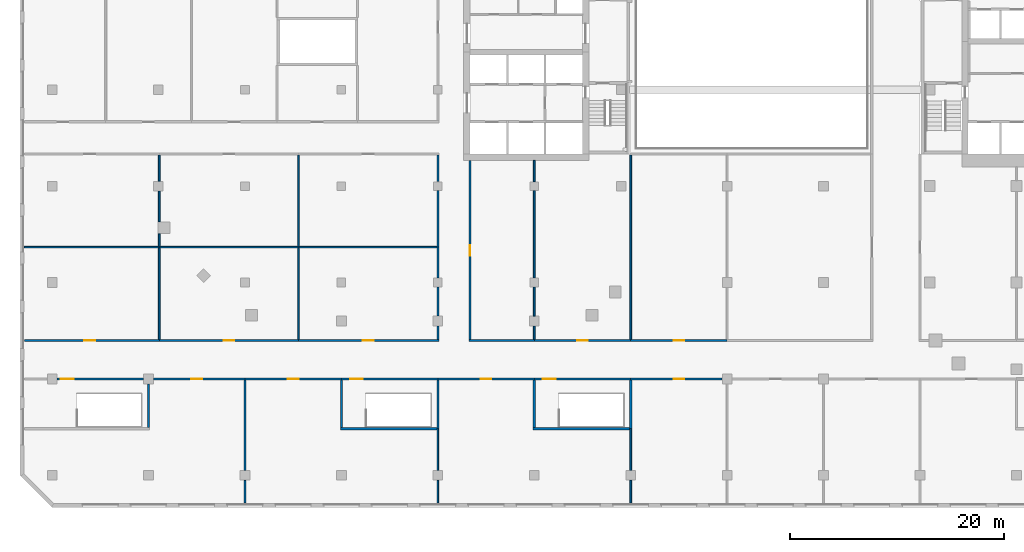
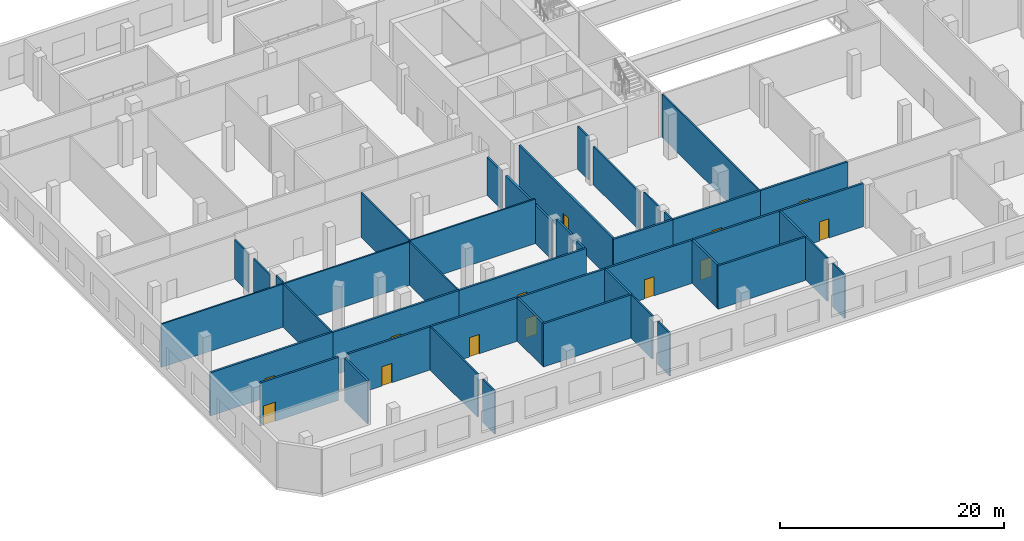
# One storey, part 4 of 20: 46 walls, 13 doors, 13 openings.
"""IFC4 building model written with IfcOpenShell, lengths in metres."""

from ifc_helpers import new_model, si_unit, direction, frame, frame_2d, origin, place, context, subcontext, project, spatial, rectangle, extrude, material, layer, layer_set, type_object, element, fill, save


model = new_model("IFC4")

# Units and contexts
model_context = context("Model", 3, precision=1e-05, world=origin(), true_north=direction((0.0, 1.0)))
body_context = subcontext(model_context, "Body", "Model", "MODEL_VIEW")
ifc_project = project(units=[si_unit("LENGTHUNIT", "METRE"), si_unit("AREAUNIT", "SQUARE_METRE"), si_unit("VOLUMEUNIT", "CUBIC_METRE"), si_unit("PLANEANGLEUNIT", "RADIAN"), si_unit("MASSUNIT", "GRAM", prefix="KILO")], contexts=[model_context])

# Site, building, storey
site_placement = place(None, origin())
site = spatial("IfcSite", under=ifc_project, at=site_placement, CompositionType="ELEMENT")
building_placement = place(site_placement, origin())
building = spatial("IfcBuilding", under=site, at=building_placement, Name="Cinnabar Reach Civic Tower", CompositionType="ELEMENT")
storey_placement = place(building_placement, frame((0.0, 0.0, 21.0)))
storey = spatial("IfcBuildingStorey", under=building, at=storey_placement, Name="L04", CompositionType="ELEMENT", Elevation=21.0)

# Wall, opening, door
ifc_material_1 = material(Name="Concrete blockwork", Category="masonry")
ifc_layer_1 = layer(ifc_material_1, 0.2)
ifc_layer_set_1 = layer_set([ifc_layer_1], Name="Podium masonry corridor wall 200 EI 120")
wall_type_1 = type_object("IfcWallType", Name="Podium masonry corridor wall 200 EI 120", PredefinedType="PARTITIONING", material=ifc_layer_set_1)
wall_1_placement = place(storey_placement, frame((-71.53, 0.0, 0.0), z_axis=(0.0, 0.0, 1.0), x_axis=(1.0, 0.0, 0.0)))
wall_1 = element("IfcWall", 1, at=wall_1_placement, inside=storey, type_object=wall_type_1, Name="Wall L04 41", PredefinedType="PARTITIONING", context=body_context, shape_type="SweptSolid", body=[
    extrude(rectangle(XDim=8.53, YDim=0.2, at=frame_2d((4.265, 0.0))), origin(), (0.0, 0.0, 1.0), 4.7),
])
opening_1_placement = place(wall_1_placement, frame((3.53, 0.0, 0.0)))
opening_1 = element("IfcOpeningElement", 2, at=opening_1_placement, cuts=wall_1, Name="Opening D1230", PredefinedType="OPENING", context=body_context, shape_type="SweptSolid", body=[
    extrude(rectangle(XDim=1.0, YDim=2.1, at=frame_2d((0.5, 1.05))), frame((0.0, 0.11, 0.0), z_axis=(0.0, -1.0, 0.0), x_axis=(1.0, 0.0, 0.0)), (0.0, 0.0, 1.0), 0.22),
])
ifc_material_2 = material(Name="Painted steel door leaf", Category="steel")
door_type_1 = type_object("IfcDoorType", Name="Podium single door 1000x2100", OperationType="SINGLE_SWING_LEFT", PredefinedType="DOOR", material=ifc_material_2)
door_1_placement = place(opening_1_placement, frame((1.0, 0.0, 0.0), z_axis=(0.0, 0.0, 1.0), x_axis=(-1.0, 0.0, 0.0)))
door_1 = element("IfcDoor", 3, at=door_1_placement, inside=storey, type_object=door_type_1, Name="Door D1230", OperationType="SINGLE_SWING_LEFT", OverallHeight=2.1, OverallWidth=1.0, PredefinedType="DOOR", context=body_context, shape_type="SweptSolid", body=[
    extrude(rectangle(XDim=1.0, YDim=2.1, at=frame_2d((0.5, 1.05))), frame((0.0, 0.025, 0.0), z_axis=(0.0, -1.0, 0.0), x_axis=(1.0, 0.0, 0.0)), (0.0, 0.0, 1.0), 0.05),
])
fill(opening_1, door_1)

wall_2_placement = place(storey_placement, frame((-63.0, 0.0, 0.0), z_axis=(0.0, 0.0, 1.0), x_axis=(1.0, 0.0, 0.0)))
wall_2 = element("IfcWall", 4, at=wall_2_placement, inside=storey, type_object=wall_type_1, Name="Wall L04 42", PredefinedType="PARTITIONING", context=body_context, shape_type="SweptSolid", body=[
    extrude(rectangle(XDim=9.0, YDim=0.2, at=frame_2d((4.5, 0.0))), origin(), (0.0, 0.0, 1.0), 4.7),
])
opening_2_placement = place(wall_2_placement, frame((4.0, 0.0, 0.0)))
opening_2 = element("IfcOpeningElement", 5, at=opening_2_placement, cuts=wall_2, Name="Opening D1231", PredefinedType="OPENING", context=body_context, shape_type="SweptSolid", body=[
    extrude(rectangle(XDim=1.0, YDim=2.1, at=frame_2d((0.5, 1.05))), frame((0.0, 0.11, 0.0), z_axis=(0.0, -1.0, 0.0), x_axis=(1.0, 0.0, 0.0)), (0.0, 0.0, 1.0), 0.22),
])
door_2_placement = place(opening_2_placement, frame((1.0, 0.0, 0.0), z_axis=(0.0, 0.0, 1.0), x_axis=(-1.0, 0.0, 0.0)))
door_2 = element("IfcDoor", 6, at=door_2_placement, inside=storey, type_object=door_type_1, Name="Door D1231", OperationType="SINGLE_SWING_RIGHT", OverallHeight=2.1, OverallWidth=1.0, PredefinedType="DOOR", context=body_context, shape_type="SweptSolid", body=[
    extrude(rectangle(XDim=1.0, YDim=2.1, at=frame_2d((0.5, 1.05))), frame((0.0, 0.025, 0.0), z_axis=(0.0, -1.0, 0.0), x_axis=(1.0, 0.0, 0.0)), (0.0, 0.0, 1.0), 0.05),
])
fill(opening_2, door_2)

wall_3_placement = place(storey_placement, frame((-45.0, 0.0, 0.0), z_axis=(0.0, 0.0, 1.0), x_axis=(1.0, 0.0, 0.0)))
wall_3 = element("IfcWall", 7, at=wall_3_placement, inside=storey, type_object=wall_type_1, Name="Wall L04 43", PredefinedType="PARTITIONING", context=body_context, shape_type="SweptSolid", body=[
    extrude(rectangle(XDim=9.0, YDim=0.2, at=frame_2d((4.5, 0.0))), origin(), (0.0, 0.0, 1.0), 4.7),
])
opening_3_placement = place(wall_3_placement, frame((4.0, 0.0, 0.0)))
opening_3 = element("IfcOpeningElement", 8, at=opening_3_placement, cuts=wall_3, Name="Opening D1232", PredefinedType="OPENING", context=body_context, shape_type="SweptSolid", body=[
    extrude(rectangle(XDim=1.0, YDim=2.1, at=frame_2d((0.5, 1.05))), frame((0.0, 0.11, 0.0), z_axis=(0.0, -1.0, 0.0), x_axis=(1.0, 0.0, 0.0)), (0.0, 0.0, 1.0), 0.22),
])
door_3_placement = place(opening_3_placement, frame((1.0, 0.0, 0.0), z_axis=(0.0, 0.0, 1.0), x_axis=(-1.0, 0.0, 0.0)))
door_3 = element("IfcDoor", 9, at=door_3_placement, inside=storey, type_object=door_type_1, Name="Door D1232", OperationType="SINGLE_SWING_LEFT", OverallHeight=2.1, OverallWidth=1.0, PredefinedType="DOOR", context=body_context, shape_type="SweptSolid", body=[
    extrude(rectangle(XDim=1.0, YDim=2.1, at=frame_2d((0.5, 1.05))), frame((0.0, 0.025, 0.0), z_axis=(0.0, -1.0, 0.0), x_axis=(1.0, 0.0, 0.0)), (0.0, 0.0, 1.0), 0.05),
])
fill(opening_3, door_3)

# Wall
wall_4_placement = place(storey_placement, frame((-42.1, 3.6, 0.0), z_axis=(0.0, 0.0, 1.0), x_axis=(1.0, 0.0, 0.0)))
element("IfcWall", 10, at=wall_4_placement, inside=storey, type_object=wall_type_1, Name="Wall L04 44", PredefinedType="PARTITIONING", context=body_context, shape_type="SweptSolid", body=[
    extrude(rectangle(XDim=6.1, YDim=0.2, at=frame_2d((3.05, 0.0))), origin(), (0.0, 0.0, 1.0), 4.7),
])

# Wall, opening, door
wall_5_placement = place(storey_placement, frame((-36.0, 3.6, 0.0), z_axis=(0.0, 0.0, 1.0), x_axis=(1.0, 0.0, 0.0)))
wall_5 = element("IfcWall", 11, at=wall_5_placement, inside=storey, type_object=wall_type_1, Name="Wall L04 45", PredefinedType="PARTITIONING", context=body_context, shape_type="SweptSolid", body=[
    extrude(rectangle(XDim=9.0, YDim=0.2, at=frame_2d((4.5, 0.0))), origin(), (0.0, 0.0, 1.0), 4.7),
])
opening_4_placement = place(wall_5_placement, frame((4.0, 0.0, 0.0)))
opening_4 = element("IfcOpeningElement", 12, at=opening_4_placement, cuts=wall_5, Name="Opening D1236", PredefinedType="OPENING", context=body_context, shape_type="SweptSolid", body=[
    extrude(rectangle(XDim=1.0, YDim=2.1, at=frame_2d((0.5, 1.05))), frame((0.0, 0.11, 0.0), z_axis=(0.0, -1.0, 0.0), x_axis=(1.0, 0.0, 0.0)), (0.0, 0.0, 1.0), 0.22),
])
door_4_placement = place(opening_4_placement, origin())
door_4 = element("IfcDoor", 13, at=door_4_placement, inside=storey, type_object=door_type_1, Name="Door D1236", OperationType="SINGLE_SWING_LEFT", OverallHeight=2.1, OverallWidth=1.0, PredefinedType="DOOR", context=body_context, shape_type="SweptSolid", body=[
    extrude(rectangle(XDim=1.0, YDim=2.1, at=frame_2d((0.5, 1.05))), frame((0.0, 0.025, 0.0), z_axis=(0.0, -1.0, 0.0), x_axis=(1.0, 0.0, 0.0)), (0.0, 0.0, 1.0), 0.05),
])
fill(opening_4, door_4)

wall_6_placement = place(storey_placement, frame((-83.6, 3.6, 0.0), z_axis=(0.0, 0.0, 1.0), x_axis=(1.0, 0.0, 0.0)))
wall_6 = element("IfcWall", 14, at=wall_6_placement, inside=storey, type_object=wall_type_1, Name="Wall L04 46", PredefinedType="PARTITIONING", context=body_context, shape_type="SweptSolid", body=[
    extrude(rectangle(XDim=12.6, YDim=0.2, at=frame_2d((6.3, 0.0))), origin(), (0.0, 0.0, 1.0), 4.7),
])
opening_5_placement = place(wall_6_placement, frame((5.6, 0.0, 0.0)))
opening_5 = element("IfcOpeningElement", 15, at=opening_5_placement, cuts=wall_6, Name="Opening D1256", PredefinedType="OPENING", context=body_context, shape_type="SweptSolid", body=[
    extrude(rectangle(XDim=1.0, YDim=2.1, at=frame_2d((0.5, 1.05))), frame((0.0, 0.11, 0.0), z_axis=(0.0, -1.0, 0.0), x_axis=(1.0, 0.0, 0.0)), (0.0, 0.0, 1.0), 0.22),
])
door_5_placement = place(opening_5_placement, origin())
door_5 = element("IfcDoor", 16, at=door_5_placement, inside=storey, type_object=door_type_1, Name="Door D1256", OperationType="SINGLE_SWING_LEFT", OverallHeight=2.1, OverallWidth=1.0, PredefinedType="DOOR", context=body_context, shape_type="SweptSolid", body=[
    extrude(rectangle(XDim=1.0, YDim=2.1, at=frame_2d((0.5, 1.05))), frame((0.0, 0.025, 0.0), z_axis=(0.0, -1.0, 0.0), x_axis=(1.0, 0.0, 0.0)), (0.0, 0.0, 1.0), 0.05),
])
fill(opening_5, door_5)

wall_7_placement = place(storey_placement, frame((-71.0, 3.6, 0.0), z_axis=(0.0, 0.0, 1.0), x_axis=(1.0, 0.0, 0.0)))
wall_7 = element("IfcWall", 17, at=wall_7_placement, inside=storey, type_object=wall_type_1, Name="Wall L04 47", PredefinedType="PARTITIONING", context=body_context, shape_type="SweptSolid", body=[
    extrude(rectangle(XDim=13.0, YDim=0.2, at=frame_2d((6.5, 0.0))), origin(), (0.0, 0.0, 1.0), 4.7),
])
opening_6_placement = place(wall_7_placement, frame((6.0, 0.0, 0.0)))
opening_6 = element("IfcOpeningElement", 18, at=opening_6_placement, cuts=wall_7, Name="Opening D1257", PredefinedType="OPENING", context=body_context, shape_type="SweptSolid", body=[
    extrude(rectangle(XDim=1.0, YDim=2.1, at=frame_2d((0.5, 1.05))), frame((0.0, 0.11, 0.0), z_axis=(0.0, -1.0, 0.0), x_axis=(1.0, 0.0, 0.0)), (0.0, 0.0, 1.0), 0.22),
])
door_6_placement = place(opening_6_placement, origin())
door_6 = element("IfcDoor", 19, at=door_6_placement, inside=storey, type_object=door_type_1, Name="Door D1257", OperationType="SINGLE_SWING_RIGHT", OverallHeight=2.1, OverallWidth=1.0, PredefinedType="DOOR", context=body_context, shape_type="SweptSolid", body=[
    extrude(rectangle(XDim=1.0, YDim=2.1, at=frame_2d((0.5, 1.05))), frame((0.0, 0.025, 0.0), z_axis=(0.0, -1.0, 0.0), x_axis=(1.0, 0.0, 0.0)), (0.0, 0.0, 1.0), 0.05),
])
fill(opening_6, door_6)

wall_8_placement = place(storey_placement, frame((-58.0, 3.6, 0.0), z_axis=(0.0, 0.0, 1.0), x_axis=(1.0, 0.0, 0.0)))
wall_8 = element("IfcWall", 20, at=wall_8_placement, inside=storey, type_object=wall_type_1, Name="Wall L04 48", PredefinedType="PARTITIONING", context=body_context, shape_type="SweptSolid", body=[
    extrude(rectangle(XDim=13.1, YDim=0.2, at=frame_2d((6.55, 0.0))), origin(), (0.0, 0.0, 1.0), 4.7),
])
opening_7_placement = place(wall_8_placement, frame((6.0, 0.0, 0.0)))
opening_7 = element("IfcOpeningElement", 21, at=opening_7_placement, cuts=wall_8, Name="Opening D1258", PredefinedType="OPENING", context=body_context, shape_type="SweptSolid", body=[
    extrude(rectangle(XDim=1.0, YDim=2.1, at=frame_2d((0.5, 1.05))), frame((0.0, 0.11, 0.0), z_axis=(0.0, -1.0, 0.0), x_axis=(1.0, 0.0, 0.0)), (0.0, 0.0, 1.0), 0.22),
])
door_7_placement = place(opening_7_placement, origin())
door_7 = element("IfcDoor", 22, at=door_7_placement, inside=storey, type_object=door_type_1, Name="Door D1258", OperationType="SINGLE_SWING_RIGHT", OverallHeight=2.1, OverallWidth=1.0, PredefinedType="DOOR", context=body_context, shape_type="SweptSolid", body=[
    extrude(rectangle(XDim=1.0, YDim=2.1, at=frame_2d((0.5, 1.05))), frame((0.0, 0.025, 0.0), z_axis=(0.0, -1.0, 0.0), x_axis=(1.0, 0.0, 0.0)), (0.0, 0.0, 1.0), 0.05),
])
fill(opening_7, door_7)

wall_9_placement = place(storey_placement, frame((-42.0, 3.7, 0.0), z_axis=(0.0, 0.0, 1.0), x_axis=(0.0, 1.0, 0.0)))
wall_9 = element("IfcWall", 23, at=wall_9_placement, inside=storey, type_object=wall_type_1, Name="Wall L04 63", PredefinedType="PARTITIONING", context=body_context, shape_type="SweptSolid", body=[
    extrude(rectangle(XDim=16.7, YDim=0.2, at=frame_2d((8.35, 0.0))), origin(), (0.0, 0.0, 1.0), 4.7),
])
opening_8_placement = place(wall_9_placement, frame((7.8, 0.0, 0.0)))
opening_8 = element("IfcOpeningElement", 24, at=opening_8_placement, cuts=wall_9, Name="Opening D1235", PredefinedType="OPENING", context=body_context, shape_type="SweptSolid", body=[
    extrude(rectangle(XDim=1.0, YDim=2.1, at=frame_2d((0.5, 1.05))), frame((0.0, 0.11, 0.0), z_axis=(0.0, -1.0, 0.0), x_axis=(1.0, 0.0, 0.0)), (0.0, 0.0, 1.0), 0.22),
])
door_8_placement = place(opening_8_placement, frame((1.0, 0.0, 0.0), z_axis=(0.0, 0.0, 1.0), x_axis=(-1.0, 0.0, 0.0)))
door_8 = element("IfcDoor", 25, at=door_8_placement, inside=storey, type_object=door_type_1, Name="Door D1235", OperationType="SINGLE_SWING_LEFT", OverallHeight=2.1, OverallWidth=1.0, PredefinedType="DOOR", context=body_context, shape_type="SweptSolid", body=[
    extrude(rectangle(XDim=1.0, YDim=2.1, at=frame_2d((0.5, 1.05))), frame((0.0, 0.025, 0.0), z_axis=(0.0, -1.0, 0.0), x_axis=(1.0, 0.0, 0.0)), (0.0, 0.0, 1.0), 0.05),
])
fill(opening_8, door_8)

# Walls
wall_10_placement = place(storey_placement, frame((-45.0, 3.7, 0.0), z_axis=(0.0, 0.0, 1.0), x_axis=(0.0, 1.0, 0.0)))
element("IfcWall", 26, at=wall_10_placement, inside=storey, type_object=wall_type_1, Name="Wall L04 67", PredefinedType="PARTITIONING", context=body_context, shape_type="SweptSolid", body=[
    extrude(rectangle(XDim=1.23, YDim=0.2, at=frame_2d((0.615, 0.0))), origin(), (0.0, 0.0, 1.0), 4.7),
])
wall_11_placement = place(storey_placement, frame((-45.0, 5.87, 0.0), z_axis=(0.0, 0.0, 1.0), x_axis=(0.0, 1.0, 0.0)))
element("IfcWall", 27, at=wall_11_placement, inside=storey, type_object=wall_type_1, Name="Wall L04 68", PredefinedType="PARTITIONING", context=body_context, shape_type="SweptSolid", body=[
    extrude(rectangle(XDim=2.71, YDim=0.2, at=frame_2d((1.355, 0.0))), origin(), (0.0, 0.0, 1.0), 4.85),
])
wall_12_placement = place(storey_placement, frame((-45.0, 9.42, 0.0), z_axis=(0.0, 0.0, 1.0), x_axis=(0.0, 1.0, 0.0)))
element("IfcWall", 28, at=wall_12_placement, inside=storey, type_object=wall_type_1, Name="Wall L04 69", PredefinedType="PARTITIONING", context=body_context, shape_type="SweptSolid", body=[
    extrude(rectangle(XDim=2.88, YDim=0.2, at=frame_2d((1.44, 0.0))), origin(), (0.0, 0.0, 1.0), 4.158),
])
wall_13_placement = place(storey_placement, frame((-45.0, 12.3, 0.0), z_axis=(0.0, 0.0, 1.0), x_axis=(0.0, 1.0, 0.0)))
element("IfcWall", 29, at=wall_13_placement, inside=storey, type_object=wall_type_1, Name="Wall L04 70", PredefinedType="PARTITIONING", context=body_context, shape_type="SweptSolid", body=[
    extrude(rectangle(XDim=5.28, YDim=0.2, at=frame_2d((2.64, 0.0))), origin(), (0.0, 0.0, 1.0), 4.158),
])
wall_14_placement = place(storey_placement, frame((-45.0, 18.42, 0.0), z_axis=(0.0, 0.0, 1.0), x_axis=(0.0, 1.0, 0.0)))
element("IfcWall", 30, at=wall_14_placement, inside=storey, type_object=wall_type_1, Name="Wall L04 71", PredefinedType="PARTITIONING", context=body_context, shape_type="SweptSolid", body=[
    extrude(rectangle(XDim=2.48, YDim=0.2, at=frame_2d((1.24, 0.0))), origin(), (0.0, 0.0, 1.0), 4.158),
])

# Wall, opening, door
wall_15_placement = place(storey_placement, frame((-27.0, 3.6, 0.0), z_axis=(0.0, 0.0, 1.0), x_axis=(1.0, 0.0, 0.0)))
wall_15 = element("IfcWall", 31, at=wall_15_placement, inside=storey, type_object=wall_type_1, Name="Wall L04 118", PredefinedType="PARTITIONING", context=body_context, shape_type="SweptSolid", body=[
    extrude(rectangle(XDim=9.0, YDim=0.2, at=frame_2d((4.5, 0.0))), origin(), (0.0, 0.0, 1.0), 4.7),
])
opening_9_placement = place(wall_15_placement, frame((4.0, 0.0, 0.0)))
opening_9 = element("IfcOpeningElement", 32, at=opening_9_placement, cuts=wall_15, Name="Opening D1225", PredefinedType="OPENING", context=body_context, shape_type="SweptSolid", body=[
    extrude(rectangle(XDim=1.0, YDim=2.1, at=frame_2d((0.5, 1.05))), frame((0.0, 0.11, 0.0), z_axis=(0.0, -1.0, 0.0), x_axis=(1.0, 0.0, 0.0)), (0.0, 0.0, 1.0), 0.22),
])
door_9_placement = place(opening_9_placement, origin())
door_9 = element("IfcDoor", 33, at=door_9_placement, inside=storey, type_object=door_type_1, Name="Door D1225", OperationType="SINGLE_SWING_RIGHT", OverallHeight=2.1, OverallWidth=1.0, PredefinedType="DOOR", context=body_context, shape_type="SweptSolid", body=[
    extrude(rectangle(XDim=1.0, YDim=2.1, at=frame_2d((0.5, 1.05))), frame((0.0, 0.025, 0.0), z_axis=(0.0, -1.0, 0.0), x_axis=(1.0, 0.0, 0.0)), (0.0, 0.0, 1.0), 0.05),
])
fill(opening_9, door_9)

wall_16_placement = place(storey_placement, frame((-27.0, 0.0, 0.0), z_axis=(0.0, 0.0, 1.0), x_axis=(1.0, 0.0, 0.0)))
wall_16 = element("IfcWall", 34, at=wall_16_placement, inside=storey, type_object=wall_type_1, Name="Wall L04 120", PredefinedType="PARTITIONING", context=body_context, shape_type="SweptSolid", body=[
    extrude(rectangle(XDim=8.53, YDim=0.2, at=frame_2d((4.265, 0.0))), origin(), (0.0, 0.0, 1.0), 4.7),
])
opening_10_placement = place(wall_16_placement, frame((4.0, 0.0, 0.0)))
opening_10 = element("IfcOpeningElement", 35, at=opening_10_placement, cuts=wall_16, Name="Opening D1227", PredefinedType="OPENING", context=body_context, shape_type="SweptSolid", body=[
    extrude(rectangle(XDim=1.0, YDim=2.1, at=frame_2d((0.5, 1.05))), frame((0.0, 0.11, 0.0), z_axis=(0.0, -1.0, 0.0), x_axis=(1.0, 0.0, 0.0)), (0.0, 0.0, 1.0), 0.22),
])
door_10_placement = place(opening_10_placement, frame((1.0, 0.0, 0.0), z_axis=(0.0, 0.0, 1.0), x_axis=(-1.0, 0.0, 0.0)))
door_10 = element("IfcDoor", 36, at=door_10_placement, inside=storey, type_object=door_type_1, Name="Door D1227", OperationType="SINGLE_SWING_RIGHT", OverallHeight=2.1, OverallWidth=1.0, PredefinedType="DOOR", context=body_context, shape_type="SweptSolid", body=[
    extrude(rectangle(XDim=1.0, YDim=2.1, at=frame_2d((0.5, 1.05))), frame((0.0, 0.025, 0.0), z_axis=(0.0, -1.0, 0.0), x_axis=(1.0, 0.0, 0.0)), (0.0, 0.0, 1.0), 0.05),
])
fill(opening_10, door_10)

# Walls
ifc_material_3 = material(Name="Gypsum board on steel studs", Category="steel")
ifc_layer_2 = layer(ifc_material_3, 0.15)
ifc_layer_set_2 = layer_set([ifc_layer_2], Name="Podium partition wall 150 EI 90")
wall_type_2 = type_object("IfcWallType", Name="Podium partition wall 150 EI 90", PredefinedType="PARTITIONING", material=ifc_layer_set_2)
wall_17_placement = place(storey_placement, frame((-27.0, 3.7, 0.0), z_axis=(0.0, 0.0, 1.0), x_axis=(0.0, 1.0, 0.0)))
element("IfcWall", 37, at=wall_17_placement, inside=storey, type_object=wall_type_2, Name="Wall L04 144", PredefinedType="PARTITIONING", context=body_context, shape_type="SweptSolid", body=[
    extrude(rectangle(XDim=17.2, YDim=0.15, at=frame_2d((8.6, 0.0))), origin(), (0.0, 0.0, 1.0), 4.7),
])
wall_18_placement = place(storey_placement, frame((-27.0, -11.6, 0.0), z_axis=(0.0, 0.0, 1.0), x_axis=(0.0, 1.0, 0.0)))
element("IfcWall", 38, at=wall_18_placement, inside=storey, type_object=wall_type_2, Name="Wall L04 147", PredefinedType="PARTITIONING", context=body_context, shape_type="SweptSolid", body=[
    extrude(rectangle(XDim=2.13, YDim=0.15, at=frame_2d((1.065, 0.0))), origin(), (0.0, 0.0, 1.0), 4.7),
])
wall_19_placement = place(storey_placement, frame((-27.0, -8.53, 0.0), z_axis=(0.0, 0.0, 1.0), x_axis=(0.0, 1.0, 0.0)))
element("IfcWall", 39, at=wall_19_placement, inside=storey, type_object=wall_type_2, Name="Wall L04 148", PredefinedType="PARTITIONING", context=body_context, shape_type="SweptSolid", body=[
    extrude(rectangle(XDim=3.88, YDim=0.15, at=frame_2d((1.94, 0.0))), origin(), (0.0, 0.0, 1.0), 4.7),
])
wall_20_placement = place(storey_placement, frame((-63.0, -11.6, 0.0), z_axis=(0.0, 0.0, 1.0), x_axis=(0.0, 1.0, 0.0)))
element("IfcWall", 40, at=wall_20_placement, inside=storey, type_object=wall_type_2, Name="Wall L04 153", PredefinedType="PARTITIONING", context=body_context, shape_type="SweptSolid", body=[
    extrude(rectangle(XDim=2.13, YDim=0.15, at=frame_2d((1.065, 0.0))), origin(), (0.0, 0.0, 1.0), 4.7),
])
wall_21_placement = place(storey_placement, frame((-63.0, -8.53, 0.0), z_axis=(0.0, 0.0, 1.0), x_axis=(0.0, 1.0, 0.0)))
element("IfcWall", 41, at=wall_21_placement, inside=storey, type_object=wall_type_2, Name="Wall L04 154", PredefinedType="PARTITIONING", context=body_context, shape_type="SweptSolid", body=[
    extrude(rectangle(XDim=8.43, YDim=0.15, at=frame_2d((4.215, 0.0))), origin(), (0.0, 0.0, 1.0), 4.7),
])
wall_22_placement = place(storey_placement, frame((-45.0, -11.6, 0.0), z_axis=(0.0, 0.0, 1.0), x_axis=(0.0, 1.0, 0.0)))
element("IfcWall", 42, at=wall_22_placement, inside=storey, type_object=wall_type_2, Name="Wall L04 155", PredefinedType="PARTITIONING", context=body_context, shape_type="SweptSolid", body=[
    extrude(rectangle(XDim=2.13, YDim=0.15, at=frame_2d((1.065, 0.0))), origin(), (0.0, 0.0, 1.0), 4.7),
])
wall_23_placement = place(storey_placement, frame((-45.0, -8.53, 0.0), z_axis=(0.0, 0.0, 1.0), x_axis=(0.0, 1.0, 0.0)))
element("IfcWall", 43, at=wall_23_placement, inside=storey, type_object=wall_type_2, Name="Wall L04 156", PredefinedType="PARTITIONING", context=body_context, shape_type="SweptSolid", body=[
    extrude(rectangle(XDim=3.88, YDim=0.15, at=frame_2d((1.94, 0.0))), origin(), (0.0, 0.0, 1.0), 4.7),
])
wall_24_placement = place(storey_placement, frame((-36.0, 3.7, 0.0), z_axis=(0.0, 0.0, 1.0), x_axis=(0.0, 1.0, 0.0)))
element("IfcWall", 44, at=wall_24_placement, inside=storey, type_object=wall_type_2, Name="Wall L04 161", PredefinedType="PARTITIONING", context=body_context, shape_type="SweptSolid", body=[
    extrude(rectangle(XDim=1.23, YDim=0.15, at=frame_2d((0.615, 0.0))), origin(), (0.0, 0.0, 1.0), 4.7),
])
wall_25_placement = place(storey_placement, frame((-36.0, 5.87, 0.0), z_axis=(0.0, 0.0, 1.0), x_axis=(0.0, 1.0, 0.0)))
element("IfcWall", 45, at=wall_25_placement, inside=storey, type_object=wall_type_2, Name="Wall L04 162", PredefinedType="PARTITIONING", context=body_context, shape_type="SweptSolid", body=[
    extrude(rectangle(XDim=2.71, YDim=0.15, at=frame_2d((1.355, 0.0))), origin(), (0.0, 0.0, 1.0), 4.652),
])
wall_26_placement = place(storey_placement, frame((-36.0, 9.42, 0.0), z_axis=(0.0, 0.0, 1.0), x_axis=(0.0, 1.0, 0.0)))
element("IfcWall", 46, at=wall_26_placement, inside=storey, type_object=wall_type_2, Name="Wall L04 163", PredefinedType="PARTITIONING", context=body_context, shape_type="SweptSolid", body=[
    extrude(rectangle(XDim=8.16, YDim=0.15, at=frame_2d((4.08, 0.0))), origin(), (0.0, 0.0, 1.0), 4.158),
])
wall_27_placement = place(storey_placement, frame((-36.0, 18.42, 0.0), z_axis=(0.0, 0.0, 1.0), x_axis=(0.0, 1.0, 0.0)))
element("IfcWall", 47, at=wall_27_placement, inside=storey, type_object=wall_type_2, Name="Wall L04 164", PredefinedType="PARTITIONING", context=body_context, shape_type="SweptSolid", body=[
    extrude(rectangle(XDim=1.98, YDim=0.15, at=frame_2d((0.99, 0.0))), origin(), (0.0, 0.0, 1.0), 4.652),
])
wall_28_placement = place(storey_placement, frame((-71.0, 3.7, 0.0), z_axis=(0.0, 0.0, 1.0), x_axis=(0.0, 1.0, 0.0)))
element("IfcWall", 48, at=wall_28_placement, inside=storey, type_object=wall_type_2, Name="Wall L04 200", PredefinedType="PARTITIONING", context=body_context, shape_type="SweptSolid", body=[
    extrude(rectangle(XDim=8.525, YDim=0.15, at=frame_2d((4.2625, 0.0))), origin(), (0.0, 0.0, 1.0), 4.7),
])
wall_29_placement = place(storey_placement, frame((-83.6, 12.3, 0.0), z_axis=(0.0, 0.0, 1.0), x_axis=(1.0, 0.0, 0.0)))
element("IfcWall", 49, at=wall_29_placement, inside=storey, type_object=wall_type_2, Name="Wall L04 201", PredefinedType="PARTITIONING", context=body_context, shape_type="SweptSolid", body=[
    extrude(rectangle(XDim=12.6, YDim=0.15, at=frame_2d((6.3, 0.0))), origin(), (0.0, 0.0, 1.0), 4.7),
])
wall_30_placement = place(storey_placement, frame((-58.0, 3.7, 0.0), z_axis=(0.0, 0.0, 1.0), x_axis=(0.0, 1.0, 0.0)))
element("IfcWall", 50, at=wall_30_placement, inside=storey, type_object=wall_type_2, Name="Wall L04 202", PredefinedType="PARTITIONING", context=body_context, shape_type="SweptSolid", body=[
    extrude(rectangle(XDim=8.525, YDim=0.15, at=frame_2d((4.2625, 0.0))), origin(), (0.0, 0.0, 1.0), 4.7),
])
wall_31_placement = place(storey_placement, frame((-71.0, 12.3, 0.0), z_axis=(0.0, 0.0, 1.0), x_axis=(1.0, 0.0, 0.0)))
element("IfcWall", 51, at=wall_31_placement, inside=storey, type_object=wall_type_2, Name="Wall L04 203", PredefinedType="PARTITIONING", context=body_context, shape_type="SweptSolid", body=[
    extrude(rectangle(XDim=13.0, YDim=0.15, at=frame_2d((6.5, 0.0))), origin(), (0.0, 0.0, 1.0), 4.7),
])
wall_32_placement = place(storey_placement, frame((-58.0, 12.3, 0.0), z_axis=(0.0, 0.0, 1.0), x_axis=(1.0, 0.0, 0.0)))
element("IfcWall", 52, at=wall_32_placement, inside=storey, type_object=wall_type_2, Name="Wall L04 204", PredefinedType="PARTITIONING", context=body_context, shape_type="SweptSolid", body=[
    extrude(rectangle(XDim=12.9, YDim=0.15, at=frame_2d((6.45, 0.0))), origin(), (0.0, 0.0, 1.0), 4.85),
])
wall_33_placement = place(storey_placement, frame((-71.0, 12.375, 0.0), z_axis=(0.0, 0.0, 1.0), x_axis=(0.0, 1.0, 0.0)))
element("IfcWall", 53, at=wall_33_placement, inside=storey, type_object=wall_type_2, Name="Wall L04 205", PredefinedType="PARTITIONING", context=body_context, shape_type="SweptSolid", body=[
    extrude(rectangle(XDim=1.1569, YDim=0.15, at=frame_2d((0.5785, 0.0))), origin(), (0.0, 0.0, 1.0), 4.85),
])
wall_34_placement = place(storey_placement, frame((-71.0, 14.6719, 0.0), z_axis=(0.0, 0.0, 1.0), x_axis=(0.0, 1.0, 0.0)))
element("IfcWall", 54, at=wall_34_placement, inside=storey, type_object=wall_type_2, Name="Wall L04 206", PredefinedType="PARTITIONING", context=body_context, shape_type="SweptSolid", body=[
    extrude(rectangle(XDim=2.8581, YDim=0.15, at=frame_2d((1.429, 0.0))), origin(), (0.0, 0.0, 1.0), 4.25),
])
wall_35_placement = place(storey_placement, frame((-71.0, 18.47, 0.0), z_axis=(0.0, 0.0, 1.0), x_axis=(0.0, 1.0, 0.0)))
element("IfcWall", 55, at=wall_35_placement, inside=storey, type_object=wall_type_2, Name="Wall L04 207", PredefinedType="PARTITIONING", context=body_context, shape_type="SweptSolid", body=[
    extrude(rectangle(XDim=2.43, YDim=0.15, at=frame_2d((1.215, 0.0))), origin(), (0.0, 0.0, 1.0), 4.25),
])
wall_36_placement = place(storey_placement, frame((-58.0, 12.375, 0.0), z_axis=(0.0, 0.0, 1.0), x_axis=(0.0, 1.0, 0.0)))
element("IfcWall", 56, at=wall_36_placement, inside=storey, type_object=wall_type_2, Name="Wall L04 208", PredefinedType="PARTITIONING", context=body_context, shape_type="SweptSolid", body=[
    extrude(rectangle(XDim=8.525, YDim=0.15, at=frame_2d((4.2625, 0.0))), origin(), (0.0, 0.0, 1.0), 4.85),
])

# Wall, opening, door
ifc_material_4 = material(Name="Concrete C40", Category="concrete")
ifc_layer_3 = layer(ifc_material_4, 0.2)
ifc_layer_set_3 = layer_set([ifc_layer_3], Name="Podium stair shaft wall 200 EI 120")
wall_type_3 = type_object("IfcWallType", Name="Podium stair shaft wall 200 EI 120", PredefinedType="SOLIDWALL", material=ifc_layer_set_3)
wall_37_placement = place(storey_placement, frame((-80.53, 0.0, 0.0), z_axis=(0.0, 0.0, 1.0), x_axis=(1.0, 0.0, 0.0)))
wall_37 = element("IfcWall", 57, at=wall_37_placement, inside=storey, type_object=wall_type_3, Name="Wall L04 2", PredefinedType="SOLIDWALL", context=body_context, shape_type="SweptSolid", body=[
    extrude(rectangle(XDim=8.06, YDim=0.2, at=frame_2d((4.03, 0.0))), origin(), (0.0, 0.0, 1.0), 4.7),
])
opening_11_placement = place(wall_37_placement, frame((0.33, 0.0, 0.0)))
opening_11 = element("IfcOpeningElement", 58, at=opening_11_placement, cuts=wall_37, Name="Opening D1275", PredefinedType="OPENING", context=body_context, shape_type="SweptSolid", body=[
    extrude(rectangle(XDim=1.2, YDim=2.1, at=frame_2d((0.6, 1.05))), frame((0.0, 0.11, 0.0), z_axis=(0.0, -1.0, 0.0), x_axis=(1.0, 0.0, 0.0)), (0.0, 0.0, 1.0), 0.22),
])
door_type_2 = type_object("IfcDoorType", Name="Podium single door 1200x2100", OperationType="SINGLE_SWING_LEFT", PredefinedType="DOOR", material=ifc_material_2)
door_11_placement = place(opening_11_placement, frame((1.2, 0.0, 0.0), z_axis=(0.0, 0.0, 1.0), x_axis=(-1.0, 0.0, 0.0)))
door_11 = element("IfcDoor", 59, at=door_11_placement, inside=storey, type_object=door_type_2, Name="Door D1275", OperationType="SINGLE_SWING_RIGHT", OverallHeight=2.1, OverallWidth=1.2, PredefinedType="DOOR", context=body_context, shape_type="SweptSolid", body=[
    extrude(rectangle(XDim=1.2, YDim=2.1, at=frame_2d((0.6, 1.05))), frame((0.0, 0.025, 0.0), z_axis=(0.0, -1.0, 0.0), x_axis=(1.0, 0.0, 0.0)), (0.0, 0.0, 1.0), 0.05),
])
fill(opening_11, door_11)

# Wall
wall_38_placement = place(storey_placement, frame((-72.0, -4.55, 0.0), z_axis=(0.0, 0.0, 1.0), x_axis=(0.0, 1.0, 0.0)))
element("IfcWall", 60, at=wall_38_placement, inside=storey, type_object=wall_type_3, Name="Wall L04 3", PredefinedType="SOLIDWALL", context=body_context, shape_type="SweptSolid", body=[
    extrude(rectangle(XDim=4.08, YDim=0.2, at=frame_2d((2.04, 0.0))), origin(), (0.0, 0.0, 1.0), 4.7),
])

# Wall, opening, door
wall_39_placement = place(storey_placement, frame((-54.0, 0.0, 0.0), z_axis=(0.0, 0.0, 1.0), x_axis=(1.0, 0.0, 0.0)))
wall_39 = element("IfcWall", 61, at=wall_39_placement, inside=storey, type_object=wall_type_3, Name="Wall L04 33", PredefinedType="SOLIDWALL", context=body_context, shape_type="SweptSolid", body=[
    extrude(rectangle(XDim=9.0, YDim=0.2, at=frame_2d((4.5, 0.0))), origin(), (0.0, 0.0, 1.0), 4.7),
])
opening_12_placement = place(wall_39_placement, frame((0.8, 0.0, 0.0)))
opening_12 = element("IfcOpeningElement", 62, at=opening_12_placement, cuts=wall_39, Name="Opening D1282", PredefinedType="OPENING", context=body_context, shape_type="SweptSolid", body=[
    extrude(rectangle(XDim=1.2, YDim=2.1, at=frame_2d((0.6, 1.05))), frame((0.0, 0.11, 0.0), z_axis=(0.0, -1.0, 0.0), x_axis=(1.0, 0.0, 0.0)), (0.0, 0.0, 1.0), 0.22),
])
door_12_placement = place(opening_12_placement, frame((1.2, 0.0, 0.0), z_axis=(0.0, 0.0, 1.0), x_axis=(-1.0, 0.0, 0.0)))
door_12 = element("IfcDoor", 63, at=door_12_placement, inside=storey, type_object=door_type_2, Name="Door D1282", OperationType="SINGLE_SWING_LEFT", OverallHeight=2.1, OverallWidth=1.2, PredefinedType="DOOR", context=body_context, shape_type="SweptSolid", body=[
    extrude(rectangle(XDim=1.2, YDim=2.1, at=frame_2d((0.6, 1.05))), frame((0.0, 0.025, 0.0), z_axis=(0.0, -1.0, 0.0), x_axis=(1.0, 0.0, 0.0)), (0.0, 0.0, 1.0), 0.05),
])
fill(opening_12, door_12)

# Walls
wall_40_placement = place(storey_placement, frame((-54.1, -4.65, 0.0), z_axis=(0.0, 0.0, 1.0), x_axis=(1.0, 0.0, 0.0)))
element("IfcWall", 64, at=wall_40_placement, inside=storey, type_object=wall_type_3, Name="Wall L04 34", PredefinedType="SOLIDWALL", context=body_context, shape_type="SweptSolid", body=[
    extrude(rectangle(XDim=9.0, YDim=0.2, at=frame_2d((4.5, 0.0))), origin(), (0.0, 0.0, 1.0), 4.7),
])
wall_41_placement = place(storey_placement, frame((-54.0, -4.55, 0.0), z_axis=(0.0, 0.0, 1.0), x_axis=(0.0, 1.0, 0.0)))
element("IfcWall", 65, at=wall_41_placement, inside=storey, type_object=wall_type_3, Name="Wall L04 35", PredefinedType="SOLIDWALL", context=body_context, shape_type="SweptSolid", body=[
    extrude(rectangle(XDim=4.45, YDim=0.2, at=frame_2d((2.225, 0.0))), origin(), (0.0, 0.0, 1.0), 4.7),
])
wall_42_placement = place(storey_placement, frame((-45.0, -4.65, 0.0), z_axis=(0.0, 0.0, 1.0), x_axis=(0.0, 1.0, 0.0)))
element("IfcWall", 66, at=wall_42_placement, inside=storey, type_object=wall_type_3, Name="Wall L04 36", PredefinedType="SOLIDWALL", context=body_context, shape_type="SweptSolid", body=[
    extrude(rectangle(XDim=4.55, YDim=0.2, at=frame_2d((2.275, 0.0))), origin(), (0.0, 0.0, 1.0), 4.7),
])

# Wall, opening, door
wall_43_placement = place(storey_placement, frame((-36.0, 0.0, 0.0), z_axis=(0.0, 0.0, 1.0), x_axis=(1.0, 0.0, 0.0)))
wall_43 = element("IfcWall", 67, at=wall_43_placement, inside=storey, type_object=wall_type_3, Name="Wall L04 37", PredefinedType="SOLIDWALL", context=body_context, shape_type="SweptSolid", body=[
    extrude(rectangle(XDim=9.0, YDim=0.2, at=frame_2d((4.5, 0.0))), origin(), (0.0, 0.0, 1.0), 4.7),
])
opening_13_placement = place(wall_43_placement, frame((0.8, 0.0, 0.0)))
opening_13 = element("IfcOpeningElement", 68, at=opening_13_placement, cuts=wall_43, Name="Opening D1283", PredefinedType="OPENING", context=body_context, shape_type="SweptSolid", body=[
    extrude(rectangle(XDim=1.2, YDim=2.1, at=frame_2d((0.6, 1.05))), frame((0.0, 0.11, 0.0), z_axis=(0.0, -1.0, 0.0), x_axis=(1.0, 0.0, 0.0)), (0.0, 0.0, 1.0), 0.22),
])
door_13_placement = place(opening_13_placement, frame((1.2, 0.0, 0.0), z_axis=(0.0, 0.0, 1.0), x_axis=(-1.0, 0.0, 0.0)))
door_13 = element("IfcDoor", 69, at=door_13_placement, inside=storey, type_object=door_type_2, Name="Door D1283", OperationType="SINGLE_SWING_LEFT", OverallHeight=2.1, OverallWidth=1.2, PredefinedType="DOOR", context=body_context, shape_type="SweptSolid", body=[
    extrude(rectangle(XDim=1.2, YDim=2.1, at=frame_2d((0.6, 1.05))), frame((0.0, 0.025, 0.0), z_axis=(0.0, -1.0, 0.0), x_axis=(1.0, 0.0, 0.0)), (0.0, 0.0, 1.0), 0.05),
])
fill(opening_13, door_13)

# Walls
wall_44_placement = place(storey_placement, frame((-27.0, -4.65, 0.0), z_axis=(0.0, 0.0, 1.0), x_axis=(0.0, 1.0, 0.0)))
element("IfcWall", 70, at=wall_44_placement, inside=storey, type_object=wall_type_3, Name="Wall L04 38", PredefinedType="SOLIDWALL", context=body_context, shape_type="SweptSolid", body=[
    extrude(rectangle(XDim=4.55, YDim=0.2, at=frame_2d((2.275, 0.0))), origin(), (0.0, 0.0, 1.0), 4.7),
])
wall_45_placement = place(storey_placement, frame((-36.1, -4.65, 0.0), z_axis=(0.0, 0.0, 1.0), x_axis=(1.0, 0.0, 0.0)))
element("IfcWall", 71, at=wall_45_placement, inside=storey, type_object=wall_type_3, Name="Wall L04 39", PredefinedType="SOLIDWALL", context=body_context, shape_type="SweptSolid", body=[
    extrude(rectangle(XDim=9.0, YDim=0.2, at=frame_2d((4.5, 0.0))), origin(), (0.0, 0.0, 1.0), 4.7),
])
wall_46_placement = place(storey_placement, frame((-36.0, -4.55, 0.0), z_axis=(0.0, 0.0, 1.0), x_axis=(0.0, 1.0, 0.0)))
element("IfcWall", 72, at=wall_46_placement, inside=storey, type_object=wall_type_3, Name="Wall L04 40", PredefinedType="SOLIDWALL", context=body_context, shape_type="SweptSolid", body=[
    extrude(rectangle(XDim=4.45, YDim=0.2, at=frame_2d((2.225, 0.0))), origin(), (0.0, 0.0, 1.0), 4.7),
])

save(model, "model.ifc")
